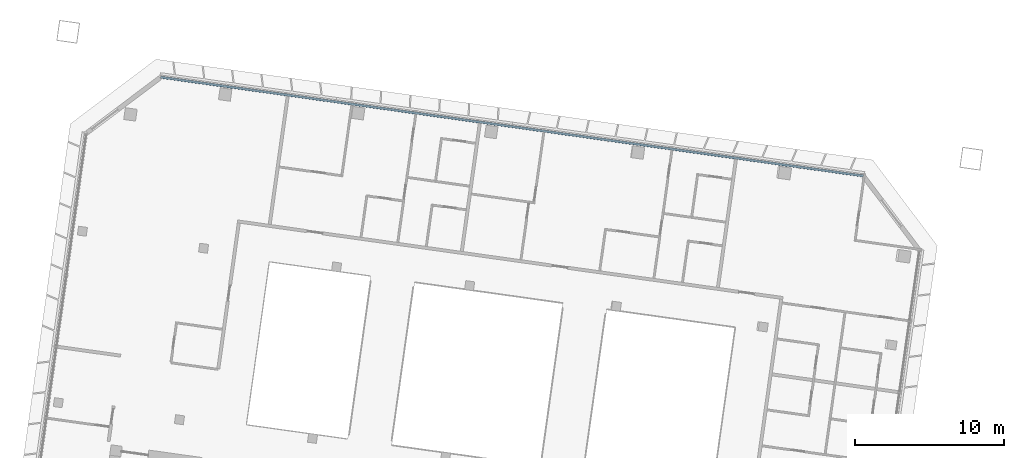
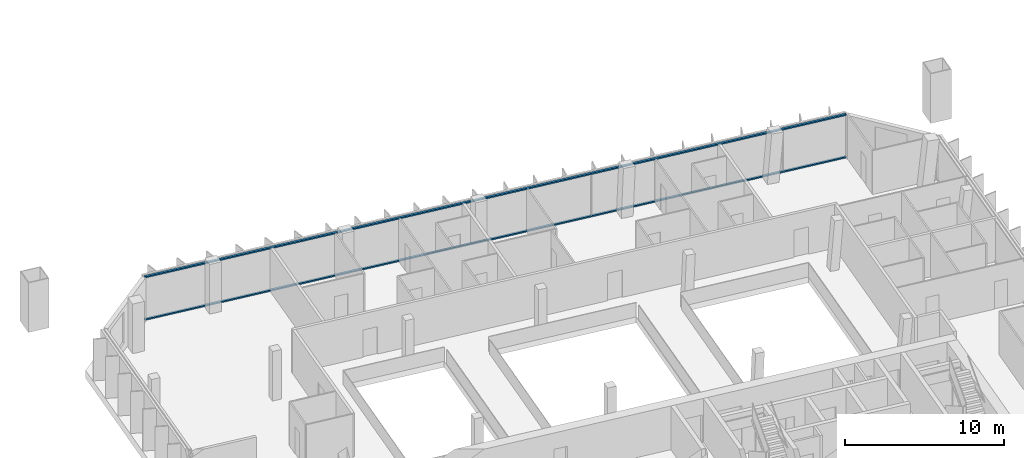
# One storey, part 5 of 23: 2 members, 1 element without a shape of its own.
"""IFC4 building model written with IfcOpenShell, lengths in metres."""

from ifc_helpers import new_model, si_unit, direction, frame, origin, origin_2d, place, context, subcontext, project, spatial, rectangle, extrude, material, material_profile, profile_set, type_object, element, aggregate, save


model = new_model("IFC4")

# Units and contexts
model_context = context("Model", 3, precision=1e-05, world=origin(), true_north=direction((0.0, 1.0)))
body_context = subcontext(model_context, "Body", "Model", "MODEL_VIEW")
ifc_project = project(units=[si_unit("LENGTHUNIT", "METRE"), si_unit("AREAUNIT", "SQUARE_METRE"), si_unit("VOLUMEUNIT", "CUBIC_METRE"), si_unit("PLANEANGLEUNIT", "RADIAN"), si_unit("MASSUNIT", "GRAM", prefix="KILO")], contexts=[model_context])

# Site, building, storey
site_placement = place(None, origin())
site = spatial("IfcSite", under=ifc_project, at=site_placement, CompositionType="ELEMENT")
building_placement = place(site_placement, origin())
building = spatial("IfcBuilding", under=site, at=building_placement, Name="Mirante Cascada Hotel Towers", CompositionType="ELEMENT")
storey_placement = place(building_placement, frame((0.0, 0.0, 199.2)))
storey = spatial("IfcBuildingStorey", under=building, at=storey_placement, Name="L47", CompositionType="ELEMENT", Elevation=199.2)

# Curtain wall, members
ifc_material_1 = material(Name="Aluminium mullion and transom frame with clear laminated glass", Category="aluminium")
curtain_wall_type = type_object("IfcCurtainWallType", Name="Ribbon curtain wall ECW1", PredefinedType="NOTDEFINED", material=ifc_material_1)
curtain_wall_placement = place(storey_placement, origin())
curtain_wall = element("IfcCurtainWall", 1, at=curtain_wall_placement, inside=storey, type_object=curtain_wall_type, Name="Front ribbon wall T1 L47", PredefinedType="NOTDEFINED")
ifc_material_2 = material(Name="Anodised aluminium extrusion", Category="aluminium")
ifc_material_profile = material_profile(ifc_material_2, rectangle(XDim=0.16, YDim=0.1, at=origin_2d()), Name="ECW1 TRANSOM 100x160")
ifc_profile_set = profile_set([ifc_material_profile], Name="Anodised aluminium extrusion")
member_type = type_object("IfcMemberType", Name="ECW1 transom 100x160", PredefinedType="USERDEFINED", material=ifc_profile_set)
member_1_placement = place(storey_placement, frame((-76.3333, 23.547, 0.05), z_axis=(0.9902679, -0.1391746, 0.0), x_axis=(0.1391746, 0.9902679, 0.0)))
member_1 = element("IfcMember", 2, at=member_1_placement, type_object=member_type, Name="ECW1 sill transom", ObjectType="TRANSOM", PredefinedType="USERDEFINED", context=body_context, shape_type="SweptSolid", body=[
    extrude(rectangle(XDim=0.16, YDim=0.1, at=origin_2d()), origin(), (0.0, 0.0, 1.0), 47.5331),
])
member_2_placement = place(storey_placement, frame((-76.3333, 23.547, 3.3), z_axis=(0.9902679, -0.1391746, 0.0), x_axis=(0.1391746, 0.9902679, 0.0)))
member_2 = element("IfcMember", 3, at=member_2_placement, type_object=member_type, Name="ECW1 head transom", ObjectType="TRANSOM", PredefinedType="USERDEFINED", context=body_context, shape_type="SweptSolid", body=[
    extrude(rectangle(XDim=0.16, YDim=0.1, at=origin_2d()), origin(), (0.0, 0.0, 1.0), 47.5331),
])
aggregate(curtain_wall, [member_1, member_2])

save(model, "model.ifc")
